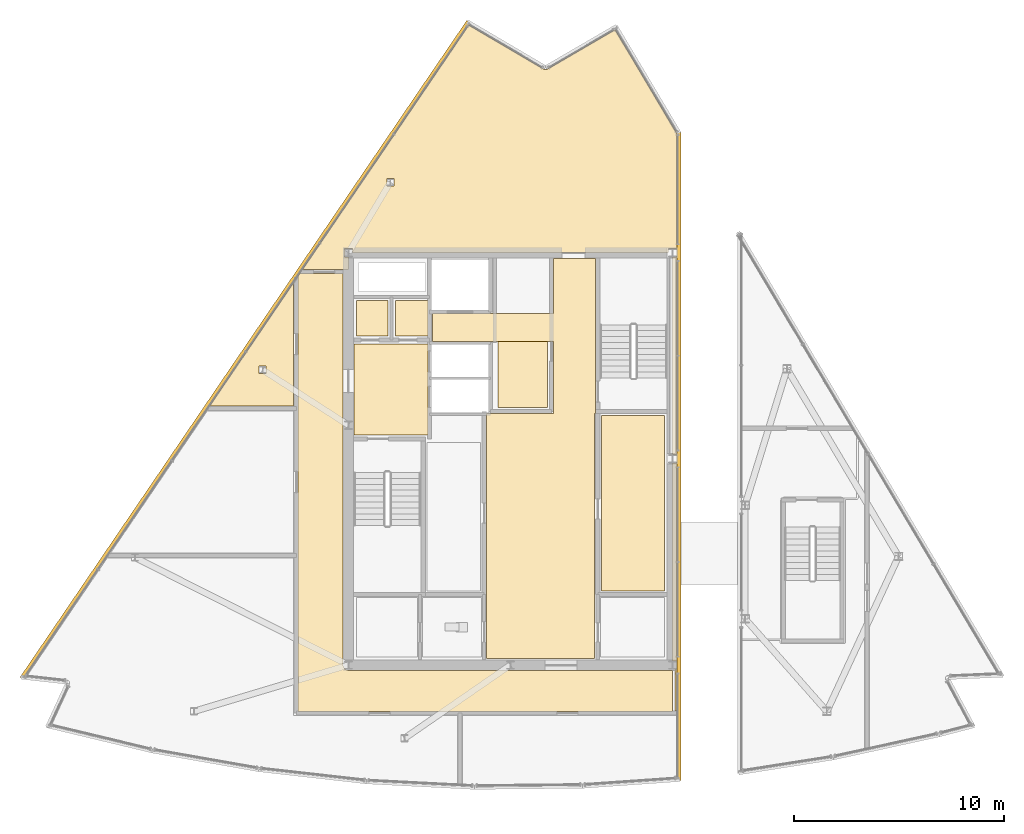
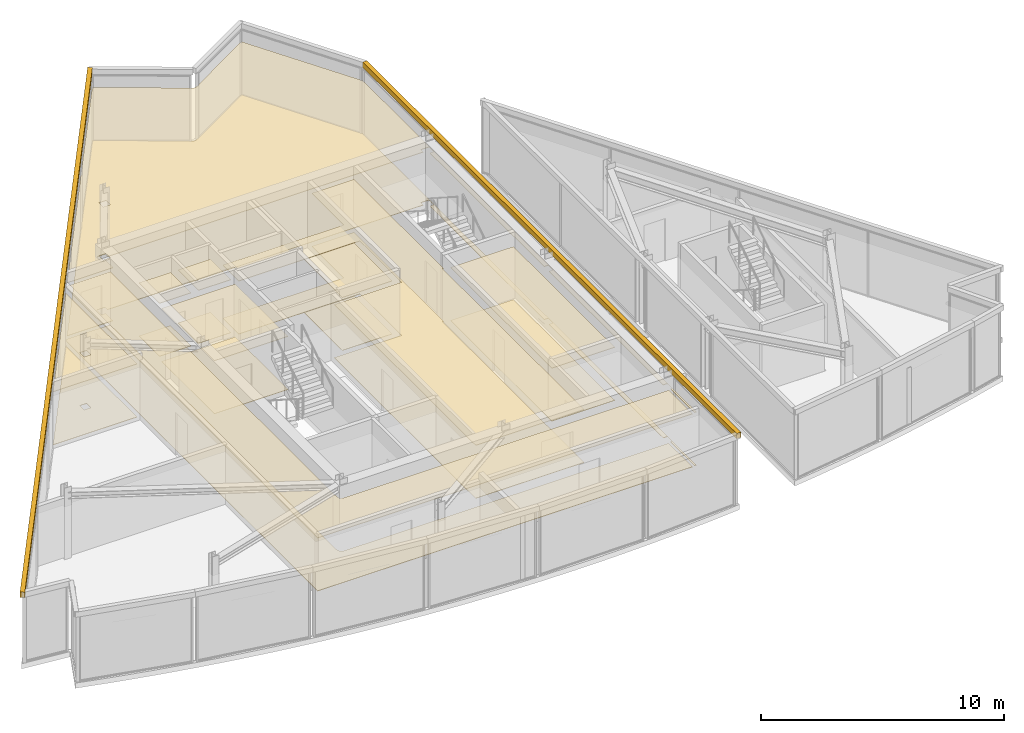
# One storey, part 12 of 15: 20 coverings.
"""IFC4 building model written with IfcOpenShell, lengths in metres."""

from ifc_helpers import new_model, si_unit, direction, frame, origin, place, context, subcontext, project, spatial, polyline, outline, extrude, material, layer, layer_set, type_object, element, save


model = new_model("IFC4")

# Units and contexts
model_context = context("Model", 3, precision=1e-05, world=origin(), true_north=direction((0.0, 1.0)))
body_context = subcontext(model_context, "Body", "Model", "MODEL_VIEW")
ifc_project = project(units=[si_unit("LENGTHUNIT", "METRE"), si_unit("AREAUNIT", "SQUARE_METRE"), si_unit("VOLUMEUNIT", "CUBIC_METRE"), si_unit("PLANEANGLEUNIT", "RADIAN"), si_unit("MASSUNIT", "GRAM", prefix="KILO")], contexts=[model_context])

# Site, building, storey
site_placement = place(None, origin())
site = spatial("IfcSite", under=ifc_project, at=site_placement, CompositionType="ELEMENT")
building_placement = place(site_placement, origin())
building = spatial("IfcBuilding", under=site, at=building_placement, Name="Savorim Split Tower", CompositionType="ELEMENT")
storey_placement = place(building_placement, frame((0.0, 0.0, 301.199951171875)))
storey = spatial("IfcBuildingStorey", under=building, at=storey_placement, Name="Crown L80 Plant", CompositionType="ELEMENT", Elevation=301.199951171875)

# Coverings
ifc_material_1 = material(Name="Mineral Fibre Acoustic Ceiling")
ifc_layer_1 = layer(ifc_material_1, 0.02490234375)
ifc_layer_set_1 = layer_set([ifc_layer_1], Name="COV-CEIL-25")
covering_type_1 = type_object("IfcCoveringType", Name="COV-CEIL-25", PredefinedType="CEILING", material=ifc_layer_set_1)
covering_1_placement = place(storey_placement, frame((0.0, 0.0, 2.66015625)))
element("IfcCovering", 1, at=covering_1_placement, inside=storey, type_object=covering_type_1, Name="Crown L80 Plant Crown Stair Lobby Acoustic Ceiling", PredefinedType="CEILING", context=body_context, shape_type="SweptSolid", body=[
    extrude(outline(polyline([(-7.429931640625, 5.8701171875), (-7.429931640625, 1.530029296875), (-3.929931640625, 1.530029296875), (-3.929931640625, 5.8701171875), (-7.429931640625, 5.8701171875)])), origin(), (0.0, 0.0, 1.0), 0.02490234375),
])
covering_2_placement = place(storey_placement, frame((0.0, 0.0, 2.66015625)))
element("IfcCovering", 2, at=covering_2_placement, inside=storey, type_object=covering_type_1, Name="Crown L80 Plant Electrical Riser Acoustic Ceiling", PredefinedType="CEILING", context=body_context, shape_type="SweptSolid", body=[
    extrude(outline(polyline([(-7.320068359375, 7.919921875), (-7.320068359375, 6.22998046875), (-5.830078125, 6.22998046875), (-5.830078125, 7.919921875), (-7.320068359375, 7.919921875)])), origin(), (0.0, 0.0, 1.0), 0.02490234375),
])
covering_3_placement = place(storey_placement, frame((0.0, 0.0, 2.66015625)))
element("IfcCovering", 3, at=covering_3_placement, inside=storey, type_object=covering_type_1, Name="Crown L80 Plant Telecom Riser Acoustic Ceiling", PredefinedType="CEILING", context=body_context, shape_type="SweptSolid", body=[
    extrude(outline(polyline([(-5.469970703125, 7.919921875), (-5.469970703125, 6.22998046875), (-3.929931640625, 6.22998046875), (-3.929931640625, 7.919921875), (-5.469970703125, 7.919921875)])), origin(), (0.0, 0.0, 1.0), 0.02490234375),
])
covering_4_placement = place(storey_placement, frame((0.0, 0.0, 2.66015625)))
element("IfcCovering", 4, at=covering_4_placement, inside=storey, type_object=covering_type_1, Name="Crown L80 Plant Lift Lobby Acoustic Ceiling", PredefinedType="CEILING", context=body_context, shape_type="SweptSolid", body=[
    extrude(outline(polyline([(2.050048828125, 2.550048828125), (-1.14990234375, 2.550048828125), (-1.14990234375, -9.10009765625), (4.0, -9.10009765625), (4.0, 2.550048828125), (4.050048828125, 2.550048828125), (4.050048828125, 5.97998046875), (4.050048828125, 7.300048828125), (4.050048828125, 9.929931640625), (2.050048828125, 9.929931640625), (2.050048828125, 7.300048828125), (-3.699951171875, 7.300048828125), (-3.699951171875, 5.97998046875), (2.050048828125, 5.97998046875), (2.050048828125, 2.550048828125)])), origin(), (0.0, 0.0, 1.0), 0.02490234375),
])
covering_5_placement = place(storey_placement, frame((0.0, 0.0, 2.66015625)))
element("IfcCovering", 5, at=covering_5_placement, inside=storey, type_object=covering_type_1, Name="Crown L80 Plant Substructure Core Store East Acoustic Ceiling", PredefinedType="CEILING", context=body_context, shape_type="SweptSolid", body=[
    extrude(outline(polyline([(4.330078125, 2.469970703125), (4.330078125, -5.8701171875), (7.320068359375, -5.8701171875), (7.320068359375, 2.469970703125), (4.330078125, 2.469970703125)])), origin(), (0.0, 0.0, 1.0), 0.02490234375),
])
covering_6_placement = place(storey_placement, frame((0.0, 0.0, 2.66015625)))
element("IfcCovering", 6, at=covering_6_placement, inside=storey, type_object=covering_type_1, Name="Crown L80 Plant Crown BMS Plant Room Acoustic Ceiling", PredefinedType="CEILING", context=body_context, shape_type="SweptSolid", body=[
    extrude(outline(polyline([(1.77001953125, 5.969970703125), (-0.60009765625, 5.969970703125), (-0.60009765625, 2.830078125), (1.77001953125, 2.830078125), (1.77001953125, 5.969970703125)])), origin(), (0.0, 0.0, 1.0), 0.02490234375),
])
covering_7_placement = place(storey_placement, frame((0.0, 0.0, 2.66015625)))
element("IfcCovering", 7, at=covering_7_placement, inside=storey, type_object=covering_type_1, Name="Crown L80 Plant Plant Corridor Acoustic Ceiling", PredefinedType="CEILING", context=body_context, shape_type="SweptSolid", body=[
    extrude(outline(polyline([(-10.10009765625, -11.60009765625), (-7.699951171875, -11.60009765625), (7.699951171875, -11.60009765625), (7.699951171875, -9.64990234375), (-7.699951171875, -9.64990234375), (-7.724609375, -9.648681640625), (-7.748779296875, -9.645263671875), (-7.772705078125, -9.63916015625), (-7.795654296875, -9.631103515625), (-7.81787109375, -9.62060546875), (-7.8388671875, -9.60791015625), (-7.85498046875, -9.595947265625), (-7.89697265625, -9.595947265625), (-7.89697265625, -9.553466796875), (-7.907958984375, -9.538818359375), (-7.92041015625, -9.517822265625), (-7.930908203125, -9.49560546875), (-7.939208984375, -9.47265625), (-7.9453125, -9.44873046875), (-7.94873046875, -9.424560546875), (-7.949951171875, -9.39990234375), (-7.949951171875, 9.199951171875), (-10.02197265625, 9.199951171875), (-10.10009765625, 9.08544921875), (-10.10009765625, -9.39990234375), (-10.10009765625, -11.60009765625)])), origin(), (0.0, 0.0, 1.0), 0.02490234375),
])
covering_8_placement = place(storey_placement, frame((0.0, 0.0, 2.66015625)))
element("IfcCovering", 8, at=covering_8_placement, inside=storey, type_object=covering_type_1, Name="Crown L80 Plant Smoke Extract Fan Plant Room Acoustic Ceiling", PredefinedType="CEILING", context=body_context, shape_type="SweptSolid", body=[
    extrude(outline(polyline([(1.609375, 18.908203125), (1.597412109375, 18.91455078125), (-1.982177734375, 21.0185546875), (-9.885986328125, 9.39990234375), (-7.699951171875, 9.39990234375), (-7.699951171875, 10.00390625), (-7.89697265625, 10.00390625), (-7.89697265625, 10.39599609375), (-7.5029296875, 10.39599609375), (-7.5029296875, 10.199951171875), (7.5029296875, 10.199951171875), (7.5029296875, 10.39599609375), (7.89697265625, 10.39599609375), (7.89697265625, 10.00390625), (7.699951171875, 10.00390625), (7.699951171875, 0.595947265625), (7.89697265625, 0.595947265625), (7.89697265625, 0.2041015625), (7.699951171875, 0.2041015625), (7.699951171875, -9.2041015625), (7.89697265625, -9.2041015625), (7.89697265625, -9.595947265625), (7.820068359375, -9.595947265625), (7.820068359375, -11.56005859375), (7.909912109375, -11.56005859375), (7.909912109375, 15.86279296875), (4.974365234375, 20.800048828125), (1.739013671875, 18.914306640625), (1.726806640625, 18.908203125), (1.71435546875, 18.903076171875), (1.701416015625, 18.8994140625), (1.688232421875, 18.896728515625), (1.6748046875, 18.8955078125), (1.661376953125, 18.8955078125), (1.64794921875, 18.896728515625), (1.634765625, 18.8994140625), (1.621826171875, 18.9033203125), (1.609375, 18.908203125)]), holes=[polyline([(-5.545166015625, 13.71728515625), (-5.875244140625, 13.71728515625), (-5.875244140625, 13.3671875), (-5.545166015625, 13.3671875), (-5.545166015625, 13.71728515625)])]), origin(), (0.0, 0.0, 1.0), 0.02490234375),
])
covering_9_placement = place(storey_placement, frame((0.0, 0.0, 2.66015625)))
element("IfcCovering", 9, at=covering_9_placement, inside=storey, type_object=covering_type_1, Name="Crown L80 Plant Heat Recovery Plant Room Acoustic Ceiling", PredefinedType="CEILING", context=body_context, shape_type="SweptSolid", body=[
    extrude(outline(polyline([(-14.294189453125, 2.919921875), (-10.300048828125, 2.919921875), (-10.300048828125, 8.79150390625), (-14.294189453125, 2.919921875)]), holes=[polyline([(-11.6103515625, 4.451904296875), (-11.6103515625, 4.8017578125), (-11.940185546875, 4.8017578125), (-11.940185546875, 4.451904296875), (-11.6103515625, 4.451904296875)])]), origin(), (0.0, 0.0, 1.0), 0.02490234375),
])
ifc_material_2 = material(Name="Terracotta Ceramic-Coated Aluminium Fin", Category="masonry")
ifc_layer_2 = layer(ifc_material_2, 0.050048828125)
ifc_layer_set_2 = layer_set([ifc_layer_2], Name="COV-CLAD-TERRA")
covering_type_2 = type_object("IfcCoveringType", Name="COV-CLAD-TERRA", PredefinedType="CLADDING", material=ifc_layer_set_2)
covering_10_placement = place(storey_placement, frame((0.0, 0.0, 3.340087890625)))
element("IfcCovering", 10, at=covering_10_placement, inside=storey, type_object=covering_type_2, Name="Crown L80 Plant Sloped Crest Eave Spandrel W1", PredefinedType="CLADDING", context=body_context, shape_type="SweptSolid", body=[
    extrude(outline(polyline([(8.110107421875, -14.87939453125), (8.110107421875, 15.9013671875), (7.909912109375, 15.9013671875), (7.909912109375, -14.87939453125), (8.110107421875, -14.87939453125)])), origin(), (0.0, 0.0, 1.0), 0.260009765625),
])
covering_11_placement = place(storey_placement, frame((0.0, 0.0, 3.340087890625)))
element("IfcCovering", 11, at=covering_11_placement, inside=storey, type_object=covering_type_2, Name="Crown L80 Plant Sloped Crest Eave Spandrel W5", PredefinedType="CLADDING", context=body_context, shape_type="SweptSolid", body=[
    extrude(outline(polyline([(-2.07373046875, 21.2392578125), (-23.310302734375, -9.97802734375), (-23.14501953125, -10.090576171875), (-1.908447265625, 21.126953125), (-2.07373046875, 21.2392578125)])), origin(), (0.0, 0.0, 1.0), 0.260009765625),
])
ifc_material_3 = material(Name="Porcelain Stoneware Flooring", Category="masonry")
ifc_layer_3 = layer(ifc_material_3, 0.02001953125)
ifc_layer_set_3 = layer_set([ifc_layer_3], Name="COV-FLOR-20")
covering_type_3 = type_object("IfcCoveringType", Name="COV-FLOR-20", PredefinedType="FLOORING", material=ifc_layer_set_3)
covering_12_placement = place(storey_placement, origin())
element("IfcCovering", 12, at=covering_12_placement, inside=storey, type_object=covering_type_3, Name="Crown L80 Plant Crown Stair Lobby Porcelain Flooring", PredefinedType="FLOORING", context=body_context, shape_type="SweptSolid", body=[
    extrude(outline(polyline([(-7.429931640625, 5.8701171875), (-7.429931640625, 1.530029296875), (-3.929931640625, 1.530029296875), (-3.929931640625, 5.8701171875), (-7.429931640625, 5.8701171875)])), origin(), (0.0, 0.0, 1.0), 0.02001953125),
])
covering_13_placement = place(storey_placement, origin())
element("IfcCovering", 13, at=covering_13_placement, inside=storey, type_object=covering_type_3, Name="Crown L80 Plant Electrical Riser Porcelain Flooring", PredefinedType="FLOORING", context=body_context, shape_type="SweptSolid", body=[
    extrude(outline(polyline([(-7.320068359375, 7.919921875), (-7.320068359375, 6.22998046875), (-5.830078125, 6.22998046875), (-5.830078125, 7.919921875), (-7.320068359375, 7.919921875)])), origin(), (0.0, 0.0, 1.0), 0.02001953125),
])
covering_14_placement = place(storey_placement, origin())
element("IfcCovering", 14, at=covering_14_placement, inside=storey, type_object=covering_type_3, Name="Crown L80 Plant Telecom Riser Porcelain Flooring", PredefinedType="FLOORING", context=body_context, shape_type="SweptSolid", body=[
    extrude(outline(polyline([(-5.469970703125, 7.919921875), (-5.469970703125, 6.22998046875), (-3.929931640625, 6.22998046875), (-3.929931640625, 7.919921875), (-5.469970703125, 7.919921875)])), origin(), (0.0, 0.0, 1.0), 0.02001953125),
])
covering_15_placement = place(storey_placement, origin())
element("IfcCovering", 15, at=covering_15_placement, inside=storey, type_object=covering_type_3, Name="Crown L80 Plant Lift Lobby Porcelain Flooring", PredefinedType="FLOORING", context=body_context, shape_type="SweptSolid", body=[
    extrude(outline(polyline([(2.050048828125, 2.550048828125), (-1.14990234375, 2.550048828125), (-1.14990234375, -9.10009765625), (4.0, -9.10009765625), (4.0, 2.550048828125), (4.050048828125, 2.550048828125), (4.050048828125, 5.97998046875), (4.050048828125, 7.300048828125), (4.050048828125, 9.929931640625), (2.050048828125, 9.929931640625), (2.050048828125, 7.300048828125), (-3.699951171875, 7.300048828125), (-3.699951171875, 5.97998046875), (2.050048828125, 5.97998046875), (2.050048828125, 2.550048828125)])), origin(), (0.0, 0.0, 1.0), 0.02001953125),
])
covering_16_placement = place(storey_placement, origin())
element("IfcCovering", 16, at=covering_16_placement, inside=storey, type_object=covering_type_3, Name="Crown L80 Plant Substructure Core Store East Porcelain Flooring", PredefinedType="FLOORING", context=body_context, shape_type="SweptSolid", body=[
    extrude(outline(polyline([(4.330078125, 2.469970703125), (4.330078125, -5.8701171875), (7.320068359375, -5.8701171875), (7.320068359375, 2.469970703125), (4.330078125, 2.469970703125)])), origin(), (0.0, 0.0, 1.0), 0.02001953125),
])
covering_17_placement = place(storey_placement, origin())
element("IfcCovering", 17, at=covering_17_placement, inside=storey, type_object=covering_type_3, Name="Crown L80 Plant Crown BMS Plant Room Porcelain Flooring", PredefinedType="FLOORING", context=body_context, shape_type="SweptSolid", body=[
    extrude(outline(polyline([(1.77001953125, 5.969970703125), (-0.60009765625, 5.969970703125), (-0.60009765625, 2.830078125), (1.77001953125, 2.830078125), (1.77001953125, 5.969970703125)])), origin(), (0.0, 0.0, 1.0), 0.02001953125),
])
covering_18_placement = place(storey_placement, origin())
element("IfcCovering", 18, at=covering_18_placement, inside=storey, type_object=covering_type_3, Name="Crown L80 Plant Plant Corridor Porcelain Flooring", PredefinedType="FLOORING", context=body_context, shape_type="SweptSolid", body=[
    extrude(outline(polyline([(-10.10009765625, -11.60009765625), (-7.699951171875, -11.60009765625), (7.699951171875, -11.60009765625), (7.699951171875, -9.64990234375), (-7.699951171875, -9.64990234375), (-7.724609375, -9.648681640625), (-7.748779296875, -9.645263671875), (-7.772705078125, -9.63916015625), (-7.795654296875, -9.631103515625), (-7.81787109375, -9.62060546875), (-7.8388671875, -9.60791015625), (-7.85498046875, -9.595947265625), (-7.89697265625, -9.595947265625), (-7.89697265625, -9.553466796875), (-7.907958984375, -9.538818359375), (-7.92041015625, -9.517822265625), (-7.930908203125, -9.49560546875), (-7.939208984375, -9.47265625), (-7.9453125, -9.44873046875), (-7.94873046875, -9.424560546875), (-7.949951171875, -9.39990234375), (-7.949951171875, 9.199951171875), (-10.02197265625, 9.199951171875), (-10.10009765625, 9.08544921875), (-10.10009765625, -9.39990234375), (-10.10009765625, -11.60009765625)])), origin(), (0.0, 0.0, 1.0), 0.02001953125),
])
covering_19_placement = place(storey_placement, origin())
element("IfcCovering", 19, at=covering_19_placement, inside=storey, type_object=covering_type_3, Name="Crown L80 Plant Smoke Extract Fan Plant Room Porcelain Flooring", PredefinedType="FLOORING", context=body_context, shape_type="SweptSolid", body=[
    extrude(outline(polyline([(1.609375, 18.908203125), (1.597412109375, 18.91455078125), (-1.982177734375, 21.0185546875), (-9.885986328125, 9.39990234375), (-7.699951171875, 9.39990234375), (-7.699951171875, 10.00390625), (-7.89697265625, 10.00390625), (-7.89697265625, 10.39599609375), (-7.5029296875, 10.39599609375), (-7.5029296875, 10.199951171875), (7.5029296875, 10.199951171875), (7.5029296875, 10.39599609375), (7.89697265625, 10.39599609375), (7.89697265625, 10.00390625), (7.699951171875, 10.00390625), (7.699951171875, 0.595947265625), (7.89697265625, 0.595947265625), (7.89697265625, 0.2041015625), (7.699951171875, 0.2041015625), (7.699951171875, -9.2041015625), (7.89697265625, -9.2041015625), (7.89697265625, -9.595947265625), (7.820068359375, -9.595947265625), (7.820068359375, -11.56005859375), (7.909912109375, -11.56005859375), (7.909912109375, 15.86279296875), (4.974365234375, 20.800048828125), (1.739013671875, 18.914306640625), (1.726806640625, 18.908203125), (1.71435546875, 18.903076171875), (1.701416015625, 18.8994140625), (1.688232421875, 18.896728515625), (1.6748046875, 18.8955078125), (1.661376953125, 18.8955078125), (1.64794921875, 18.896728515625), (1.634765625, 18.8994140625), (1.621826171875, 18.9033203125), (1.609375, 18.908203125)]), holes=[polyline([(-5.545166015625, 13.71728515625), (-5.875244140625, 13.71728515625), (-5.875244140625, 13.3671875), (-5.545166015625, 13.3671875), (-5.545166015625, 13.71728515625)])]), origin(), (0.0, 0.0, 1.0), 0.02001953125),
])
covering_20_placement = place(storey_placement, origin())
element("IfcCovering", 20, at=covering_20_placement, inside=storey, type_object=covering_type_3, Name="Crown L80 Plant Heat Recovery Plant Room Porcelain Flooring", PredefinedType="FLOORING", context=body_context, shape_type="SweptSolid", body=[
    extrude(outline(polyline([(-14.294189453125, 2.919921875), (-10.300048828125, 2.919921875), (-10.300048828125, 8.79150390625), (-14.294189453125, 2.919921875)]), holes=[polyline([(-11.6103515625, 4.451904296875), (-11.6103515625, 4.8017578125), (-11.940185546875, 4.8017578125), (-11.940185546875, 4.451904296875), (-11.6103515625, 4.451904296875)])]), origin(), (0.0, 0.0, 1.0), 0.02001953125),
])

save(model, "model.ifc")
